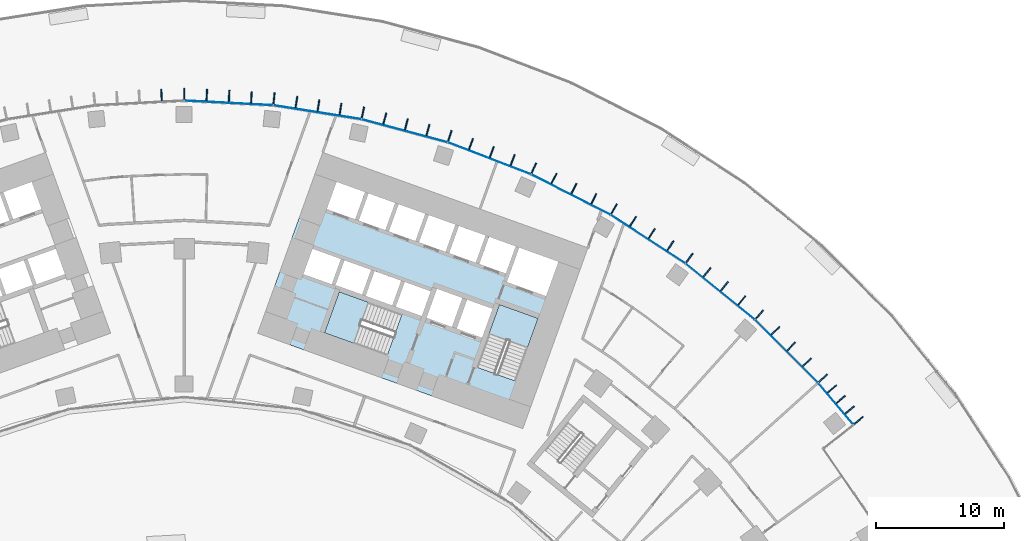
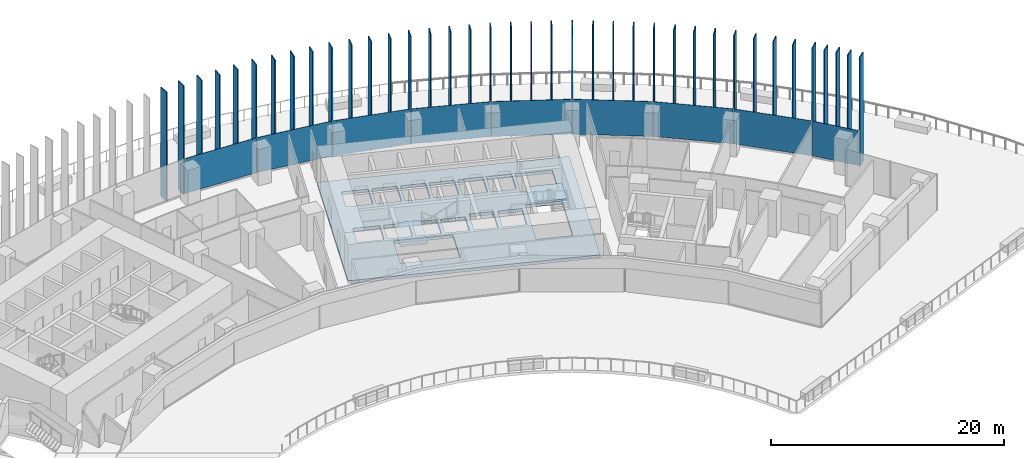
# One storey, part 14 of 24: 47 plates, 3 slabs, 3 elements without a shape of their own.
"""IFC4 building model written with IfcOpenShell, lengths in metres."""

from ifc_helpers import new_model, si_unit, direction, frame, origin, origin_2d, place, context, subcontext, project, spatial, polyline, rectangle, outline, extrude, material, layer, layer_set, type_object, element, aggregate, save


model = new_model("IFC4")

# Units and contexts
model_context = context("Model", 3, precision=1e-05, world=origin(), true_north=direction((0.0, 1.0)))
body_context = subcontext(model_context, "Body", "Model", "MODEL_VIEW")
ifc_project = project(units=[si_unit("LENGTHUNIT", "METRE"), si_unit("AREAUNIT", "SQUARE_METRE"), si_unit("VOLUMEUNIT", "CUBIC_METRE"), si_unit("PLANEANGLEUNIT", "RADIAN"), si_unit("MASSUNIT", "GRAM", prefix="KILO")], contexts=[model_context])

# Site, building, storey
site_placement = place(None, origin())
site = spatial("IfcSite", under=ifc_project, at=site_placement, CompositionType="ELEMENT")
building_placement = place(site_placement, origin())
building = spatial("IfcBuilding", under=site, at=building_placement, Name="Stone Belt Terrace Tower", CompositionType="ELEMENT")
storey_placement = place(building_placement, frame((0.0, 0.0, 30.0)))
storey = spatial("IfcBuildingStorey", under=building, at=storey_placement, Name="L06", CompositionType="ELEMENT", Elevation=30.0)

# Curtain wall, plates
ifc_material_1 = material(Name="Aluminium 6063-T6 anodised frame", Category="aluminium")
ifc_layer_1 = layer(ifc_material_1, 0.14990234375)
ifc_layer_set_1 = layer_set([ifc_layer_1], Name="CW-A unitised convex-face curtain wall")
curtain_wall_type = type_object("IfcCurtainWallType", Name="CW-A unitised convex-face curtain wall", PredefinedType="NOTDEFINED", material=ifc_layer_set_1)
curtain_wall_placement = place(storey_placement, origin())
curtain_wall = element("IfcCurtainWall", 1, at=curtain_wall_placement, inside=storey, type_object=curtain_wall_type, Name="CW-A convex face L06", PredefinedType="NOTDEFINED")
ifc_material_2 = material(Name="Clear double glazed unit")
ifc_layer_2 = layer(ifc_material_2, 0.031982421875)
ifc_layer_set_2 = layer_set([ifc_layer_2], Name="CW-A glass panel 32")
plate_type_1 = type_object("IfcPlateType", Name="CW-A glass panel 32", PredefinedType="CURTAIN_PANEL", material=ifc_layer_set_2)
plate_1_placement = place(storey_placement, frame((50.84423828125, 42.92626953125, 0.14013671875), z_axis=(0.0, 0.0, 1.0), x_axis=(-0.645291395384, 0.763936525533, 0.0)))
plate_1 = element("IfcPlate", 2, at=plate_1_placement, type_object=plate_type_1, Name="CW-A panel 1.1", PredefinedType="CURTAIN_PANEL", context=body_context, shape_type="SweptSolid", body=[
    extrude(rectangle(XDim=4.17919921875, YDim=0.031982421875, at=origin_2d()), origin(), (0.0, 0.0, 1.0), 3.659912109375),
])
plate_2_placement = place(storey_placement, frame((47.01123046875, 47.01123046875, 0.14013671875), z_axis=(0.0, 0.0, 1.0), x_axis=(-0.707106781187, 0.707106781187, 0.0)))
plate_2 = element("IfcPlate", 3, at=plate_2_placement, type_object=plate_type_1, Name="CW-A panel 2.1", PredefinedType="CURTAIN_PANEL", context=body_context, shape_type="SweptSolid", body=[
    extrude(rectangle(XDim=6.90087890625, YDim=0.031982421875, at=origin_2d()), origin(), (0.0, 0.0, 1.0), 3.659912109375),
])
plate_3_placement = place(storey_placement, frame((41.839599609375, 51.667724609375, 0.14013671875), z_axis=(0.0, 0.0, 1.0), x_axis=(-0.777145961457, 0.62932039105, 0.0)))
plate_3 = element("IfcPlate", 4, at=plate_3_placement, type_object=plate_type_1, Name="CW-A panel 3.1", PredefinedType="CURTAIN_PANEL", context=body_context, shape_type="SweptSolid", body=[
    extrude(rectangle(XDim=6.90087890625, YDim=0.031982421875, at=origin_2d()), origin(), (0.0, 0.0, 1.0), 3.659912109375),
])
plate_4_placement = place(storey_placement, frame((36.209716796875, 55.758056640625, 0.14013671875), z_axis=(0.0, 0.0, 1.0), x_axis=(-0.838670567945, 0.544639035015, 0.0)))
plate_4 = element("IfcPlate", 5, at=plate_4_placement, type_object=plate_type_1, Name="CW-A panel 4.1", PredefinedType="CURTAIN_PANEL", context=body_context, shape_type="SweptSolid", body=[
    extrude(rectangle(XDim=6.90087890625, YDim=0.031982421875, at=origin_2d()), origin(), (0.0, 0.0, 1.0), 3.659912109375),
])
plate_5_placement = place(storey_placement, frame((30.18310546875, 59.237548828125, 0.14013671875), z_axis=(0.0, 0.0, 1.0), x_axis=(-0.891006524188, 0.45399049974, 0.0)))
plate_5 = element("IfcPlate", 6, at=plate_5_placement, type_object=plate_type_1, Name="CW-A panel 5.1", PredefinedType="CURTAIN_PANEL", context=body_context, shape_type="SweptSolid", body=[
    extrude(rectangle(XDim=6.90087890625, YDim=0.031982421875, at=origin_2d()), origin(), (0.0, 0.0, 1.0), 3.659912109375),
])
plate_6_placement = place(storey_placement, frame((23.82568359375, 62.068115234375, 0.14013671875), z_axis=(0.0, 0.0, 1.0), x_axis=(-0.933580426497, 0.358367949545, 0.0)))
plate_6 = element("IfcPlate", 7, at=plate_6_placement, type_object=plate_type_1, Name="CW-A panel 6.1", PredefinedType="CURTAIN_PANEL", context=body_context, shape_type="SweptSolid", body=[
    extrude(rectangle(XDim=6.90087890625, YDim=0.031982421875, at=origin_2d()), origin(), (0.0, 0.0, 1.0), 3.659912109375),
])
plate_7_placement = place(storey_placement, frame((17.207275390625, 64.218505859375, 0.14013671875), z_axis=(0.0, 0.0, 1.0), x_axis=(-0.965925826289, 0.258819045103, 0.0)))
plate_7 = element("IfcPlate", 8, at=plate_7_placement, type_object=plate_type_1, Name="CW-A panel 7.1", PredefinedType="CURTAIN_PANEL", context=body_context, shape_type="SweptSolid", body=[
    extrude(rectangle(XDim=6.90087890625, YDim=0.031982421875, at=origin_2d()), origin(), (0.0, 0.0, 1.0), 3.659912109375),
])
plate_8_placement = place(storey_placement, frame((10.400390625, 65.665283203125, 0.14013671875), z_axis=(0.0, 0.0, 1.0), x_axis=(-0.987688340595, 0.15643446504, 0.0)))
plate_8 = element("IfcPlate", 9, at=plate_8_placement, type_object=plate_type_1, Name="CW-A panel 8.1", PredefinedType="CURTAIN_PANEL", context=body_context, shape_type="SweptSolid", body=[
    extrude(rectangle(XDim=6.90087890625, YDim=0.031982421875, at=origin_2d()), origin(), (0.0, 0.0, 1.0), 3.659912109375),
])
plate_9_placement = place(storey_placement, frame((3.4794921875, 66.392822265625, 0.14013671875), z_axis=(0.0, 0.0, 1.0), x_axis=(-0.998629534755, 0.052335956243, 0.0)))
plate_9 = element("IfcPlate", 10, at=plate_9_placement, type_object=plate_type_1, Name="CW-A panel 9.1", PredefinedType="CURTAIN_PANEL", context=body_context, shape_type="SweptSolid", body=[
    extrude(rectangle(XDim=6.90087890625, YDim=0.031982421875, at=origin_2d()), origin(), (0.0, 0.0, 1.0), 3.659912109375),
])
aggregate(curtain_wall, [plate_1, plate_2, plate_3, plate_4, plate_5, plate_6, plate_7, plate_8, plate_9])

# Slab
ifc_material_3 = material(Name="Concrete B40", Category="concrete")
ifc_layer_3 = layer(ifc_material_3, 0.320068359375)
ifc_layer_set_3 = layer_set([ifc_layer_3], Name="Core floor slab 320")
slab_type_1 = type_object("IfcSlabType", Name="Core floor slab 320", PredefinedType="FLOOR", material=ifc_layer_set_3)
slab_1_placement = place(storey_placement, frame((0.0, 0.0, -0.320068359375)))
element("IfcSlab", 11, at=slab_1_placement, inside=storey, type_object=slab_type_1, Name="Core B floor L06", PredefinedType="FLOOR", context=body_context, shape_type="SweptSolid", body=[
    extrude(outline(polyline([(26.43505859375, 40.968994140625), (31.513916015625, 55.0830078125), (10.81396484375, 62.531982421875), (5.735107421875, 48.4189453125), (26.43505859375, 40.968994140625)]), holes=[polyline([(12.10595703125, 51.652099609375), (16.998046875, 49.89208984375), (15.846923828125, 46.69189453125), (10.955078125, 48.452880859375), (12.10595703125, 51.652099609375)]), polyline([(19.239990234375, 51.68896484375), (18.5458984375, 49.760009765625), (16.52294921875, 50.488037109375), (17.217041015625, 52.4169921875), (19.239990234375, 51.68896484375)]), polyline([(16.239990234375, 50.589111328125), (14.169921875, 51.333984375), (14.864013671875, 53.262939453125), (16.93408203125, 52.51806640625), (16.239990234375, 50.589111328125)]), polyline([(14.58203125, 53.364990234375), (13.887939453125, 51.43603515625), (11.864990234375, 52.1640625), (11.847900390625, 52.116943359375), (11.801025390625, 52.134033203125), (12.511962890625, 54.110107421875), (14.58203125, 53.364990234375)]), polyline([(9.30810546875, 53.031005859375), (10.01904296875, 55.007080078125), (12.22998046875, 54.2109375), (11.51904296875, 52.235107421875), (9.30810546875, 53.031005859375)]), polyline([(16.743896484375, 58.485107421875), (18.81396484375, 57.739990234375), (18.052001953125, 55.623046875), (15.98193359375, 56.367919921875), (16.743896484375, 58.485107421875)]), polyline([(14.39111328125, 59.33203125), (16.4609375, 58.5869140625), (15.699951171875, 56.469970703125), (13.6298828125, 57.215087890625), (14.39111328125, 59.33203125)]), polyline([(11.89794921875, 60.22900390625), (14.10888671875, 59.43408203125), (13.346923828125, 57.31591796875), (11.135986328125, 58.112060546875), (11.89794921875, 60.22900390625)]), polyline([(25.85888671875, 44.68408203125), (22.847900390625, 45.76806640625), (24.60791015625, 50.659912109375), (27.618896484375, 49.575927734375), (25.85888671875, 44.68408203125)]), polyline([(21.27392578125, 48.778076171875), (22.0869140625, 51.035888671875), (24.06298828125, 50.324951171875), (23.25, 48.06689453125), (21.27392578125, 48.778076171875)]), polyline([(18.922119140625, 49.6240234375), (19.735107421875, 51.883056640625), (21.7109375, 51.1708984375), (20.89794921875, 48.9130859375), (18.922119140625, 49.6240234375)]), polyline([(29.2109375, 53.9990234375), (28.24609375, 51.31689453125), (25.18798828125, 52.41796875), (26.153076171875, 55.09912109375), (29.2109375, 53.9990234375)]), polyline([(23.801025390625, 55.946044921875), (25.87109375, 55.200927734375), (25.10888671875, 53.083984375), (23.0390625, 53.8291015625), (23.801025390625, 55.946044921875)]), polyline([(21.447998046875, 56.7919921875), (23.51806640625, 56.047119140625), (22.756103515625, 53.929931640625), (20.68603515625, 54.675048828125), (21.447998046875, 56.7919921875)]), polyline([(19.095947265625, 57.638916015625), (21.166015625, 56.89404296875), (20.404052734375, 54.777099609375), (18.333984375, 55.52197265625), (19.095947265625, 57.638916015625)])]), origin(), (0.0, 0.0, 1.0), 0.320068359375),
])

# Stair, slab
stair_type = type_object("IfcStairType", Name="Exit stair 1500", PredefinedType="HALF_TURN_STAIR", material=ifc_material_3)
stair_1_placement = place(storey_placement, origin())
stair_1 = element("IfcStair", 12, at=stair_1_placement, inside=storey, type_object=stair_type, Name="L06 Exit stair 1 core B", PredefinedType="HALF_TURN_STAIR")
ifc_layer_4 = layer(ifc_material_3, 0.199951171875)
ifc_layer_set_4 = layer_set([ifc_layer_4], Name="Stair landing 200")
slab_type_2 = type_object("IfcSlabType", Name="Stair landing 200", PredefinedType="LANDING", material=ifc_layer_set_4)
slab_2_placement = place(storey_placement, frame((0.0, 0.0, 1.699951171875)))
slab_2 = element("IfcSlab", 13, at=slab_2_placement, type_object=slab_type_2, Name="ST1B landing 1", PredefinedType="LANDING", context=body_context, shape_type="SweptSolid", body=[
    extrude(outline(polyline([(26.806396484375, 47.3173828125), (27.619384765625, 49.576171875), (24.6083984375, 50.659912109375), (23.79541015625, 48.40087890625), (26.806396484375, 47.3173828125)])), origin(), (0.0, 0.0, 1.0), 0.199951171875),
])
aggregate(stair_1, [slab_2])

stair_2_placement = place(storey_placement, origin())
stair_2 = element("IfcStair", 14, at=stair_2_placement, inside=storey, type_object=stair_type, Name="L06 Exit stair 2 core B", PredefinedType="HALF_TURN_STAIR")
slab_3_placement = place(storey_placement, frame((0.0, 0.0, 1.699951171875)))
slab_3 = element("IfcSlab", 15, at=slab_3_placement, type_object=slab_type_2, Name="ST2B landing 1", PredefinedType="LANDING", context=body_context, shape_type="SweptSolid", body=[
    extrude(outline(polyline([(14.36474609375, 50.839111328125), (12.10595703125, 51.652099609375), (10.95458984375, 48.453125), (13.213623046875, 47.64013671875), (14.36474609375, 50.839111328125)])), origin(), (0.0, 0.0, 1.0), 0.199951171875),
])
aggregate(stair_2, [slab_3])

# Plates
ifc_material_4 = material(Name="Terracotta coloured glazed ceramic", Category="masonry")
ifc_layer_5 = layer(ifc_material_4, 0.10009765625)
ifc_layer_set_5 = layer_set([ifc_layer_5], Name="Terracotta fin 100 x 900")
plate_type_2 = type_object("IfcPlateType", Name="Terracotta fin 100 x 900", PredefinedType="SHEET", material=ifc_layer_set_5)
for number, where, z_axis, x_axis, name in (
    (16, (52.641845703125, 41.611572265625, 0.0), (0.0, 0.0, 1.0), (0.763936525533, 0.645291395384, 0.0), "FIN L06 1.1"),
    (17, (51.9501953125, 42.430419921875, 0.0), (0.0, 0.0, 1.0), (0.763936525533, 0.645291395384, 0.0), "FIN L06 1.2"),
    (18, (51.2587890625, 43.249267578125, 0.0), (0.0, 0.0, 1.0), (0.763936525533, 0.645291395384, 0.0), "FIN L06 1.3"),
    (19, (50.567138671875, 44.068115234375, 0.0), (0.0, 0.0, 1.0), (0.763936525533, 0.645291395384, 0.0), "FIN L06 1.4"),
    (20, (49.86083984375, 44.9033203125, 0.0), (0.0, 0.0, 1.0), (0.73617076011, 0.676795842155, 0.0), "FIN L06 2.1"),
    (21, (48.61376953125, 46.15087890625, 0.0), (0.0, 0.0, 1.0), (0.707106781187, 0.707106781187, 0.0), "FIN L06 2.2"),
    (22, (47.382080078125, 47.3828125, 0.0), (0.0, 0.0, 1.0), (0.707106781187, 0.707106781187, 0.0), "FIN L06 2.3"),
    (23, (46.150390625, 48.614501953125, 0.0), (0.0, 0.0, 1.0), (0.707106781187, 0.707106781187, 0.0), "FIN L06 2.4"),
    (24, (44.898681640625, 49.864990234375, 0.0), (0.0, 0.0, 1.0), (0.669130606359, 0.743144825477, 0.0), "FIN L06 3.1"),
    (25, (43.52392578125, 50.979248046875, 0.0), (0.0, 0.0, 1.0), (0.62932039105, 0.777145961457, 0.0), "FIN L06 3.2"),
    (26, (42.170166015625, 52.07568359375, 0.0), (0.0, 0.0, 1.0), (0.62932039105, 0.777145961457, 0.0), "FIN L06 3.3"),
    (27, (40.816162109375, 53.172119140625, 0.0), (0.0, 0.0, 1.0), (0.62932039105, 0.777145961457, 0.0), "FIN L06 3.4"),
    (28, (39.4404296875, 54.28515625, 0.0), (0.0, 0.0, 1.0), (0.587785252292, 0.809016994375, 0.0), "FIN L06 4.1"),
    (29, (37.956787109375, 55.24951171875, 0.0), (0.0, 0.0, 1.0), (0.544639035015, 0.838670567945, 0.0), "FIN L06 4.2"),
    (30, (36.49560546875, 56.1982421875, 0.0), (0.0, 0.0, 1.0), (0.544639035015, 0.838670567945, 0.0), "FIN L06 4.3"),
    (31, (35.03466796875, 57.147216796875, 0.0), (0.0, 0.0, 1.0), (0.544639035015, 0.838670567945, 0.0), "FIN L06 4.4"),
    (32, (33.550048828125, 58.1103515625, 0.0), (0.0, 0.0, 1.0), (0.5, 0.866025403784, 0.0), "FIN L06 5.1"),
    (33, (31.9736328125, 58.914306640625, 0.0), (0.0, 0.0, 1.0), (0.45399049974, 0.891006524188, 0.0), "FIN L06 5.2"),
    (34, (30.42138671875, 59.705322265625, 0.0), (0.0, 0.0, 1.0), (0.45399049974, 0.891006524188, 0.0), "FIN L06 5.3"),
    (35, (28.869140625, 60.496337890625, 0.0), (0.0, 0.0, 1.0), (0.45399049974, 0.891006524188, 0.0), "FIN L06 5.4"),
    (36, (27.2919921875, 61.299072265625, 0.0), (0.0, 0.0, 1.0), (0.406736643076, 0.913545457643, 0.0), "FIN L06 6.1"),
    (37, (25.64013671875, 61.933837890625, 0.0), (0.0, 0.0, 1.0), (0.358367949545, 0.933580426497, 0.0), "FIN L06 6.2"),
    (38, (24.013916015625, 62.55810546875, 0.0), (0.0, 0.0, 1.0), (0.358367949545, 0.933580426497, 0.0), "FIN L06 6.3"),
    (39, (22.387451171875, 63.182373046875, 0.0), (0.0, 0.0, 1.0), (0.358367949545, 0.933580426497, 0.0), "FIN L06 6.4"),
    (40, (20.735107421875, 63.81591796875, 0.0), (0.0, 0.0, 1.0), (0.309016994375, 0.951056516295, 0.0), "FIN L06 7.1"),
    (41, (19.02587890625, 64.274658203125, 0.0), (0.0, 0.0, 1.0), (0.258819045103, 0.965925826289, 0.0), "FIN L06 7.2"),
    (42, (17.34326171875, 64.7255859375, 0.0), (0.0, 0.0, 1.0), (0.258819045103, 0.965925826289, 0.0), "FIN L06 7.3"),
    (43, (15.660400390625, 65.176513671875, 0.0), (0.0, 0.0, 1.0), (0.258819045103, 0.965925826289, 0.0), "FIN L06 7.4"),
    (44, (13.950927734375, 65.6337890625, 0.0), (0.0, 0.0, 1.0), (0.207911690818, 0.978147600734, 0.0), "FIN L06 8.1"),
    (45, (12.203125, 65.911376953125, 0.0), (0.0, 0.0, 1.0), (0.15643446504, 0.987688340595, 0.0), "FIN L06 8.2"),
    (46, (10.482421875, 66.183837890625, 0.0), (0.0, 0.0, 1.0), (0.15643446504, 0.987688340595, 0.0), "FIN L06 8.3"),
    (47, (8.76171875, 66.456298828125, 0.0), (0.0, 0.0, 1.0), (0.15643446504, 0.987688340595, 0.0), "FIN L06 8.4"),
    (48, (7.013916015625, 66.732421875, 0.0), (0.0, 0.0, 1.0), (0.104528463268, 0.994521895368, 0.0), "FIN L06 9.1"),
    (49, (5.246826171875, 66.825927734375, 0.0), (0.0, 0.0, 1.0), (0.052335956243, 0.998629534755, 0.0), "FIN L06 9.2"),
    (50, (3.507080078125, 66.9169921875, 0.0), (0.0, 0.0, 1.0), (0.052335956243, 0.998629534755, 0.0), "FIN L06 9.3"),
    (51, (1.767333984375, 67.00830078125, 0.0), (0.0, 0.0, 1.0), (0.052335956243, 0.998629534755, 0.0), "FIN L06 9.4"),
    (52, (0.0, 67.10009765625, 0.0), (0.0, 0.0, 1.0), (0.0, 1.0, 0.0), "FIN L06 10.1"),
    (53, (-1.767333984375, 67.00830078125, 0.0), (0.0, 0.0, 1.0), (-0.052335956243, 0.998629534755, 0.0), "FIN L06 10.2"),
):
    element("IfcPlate", number, at=place(storey_placement, frame(where, z_axis=z_axis, x_axis=x_axis)), inside=storey, type_object=plate_type_2, Name=name, PredefinedType="SHEET", context=body_context, shape_type="SweptSolid", body=[
        extrude(rectangle(XDim=0.89990234375, YDim=0.10009765625, at=origin_2d()), origin(), (0.0, 0.0, 1.0), 11.39990234375),
    ])

save(model, "model.ifc")
